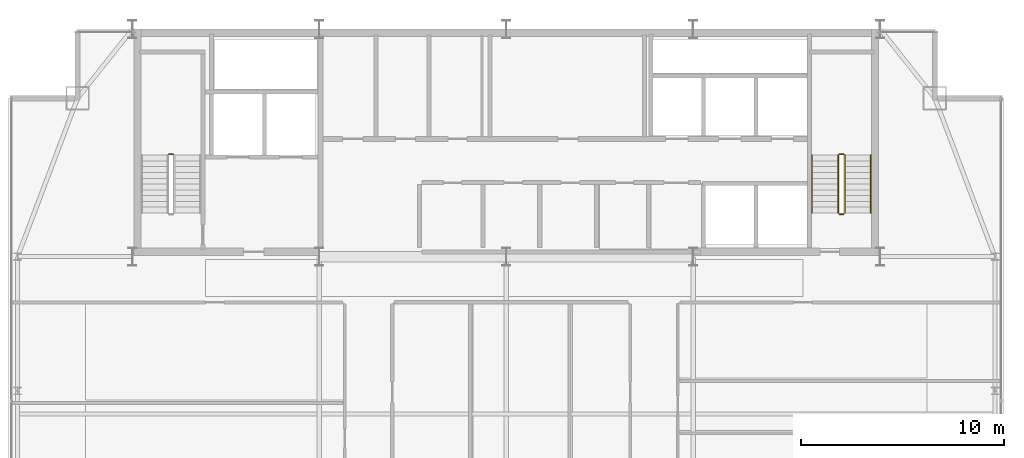
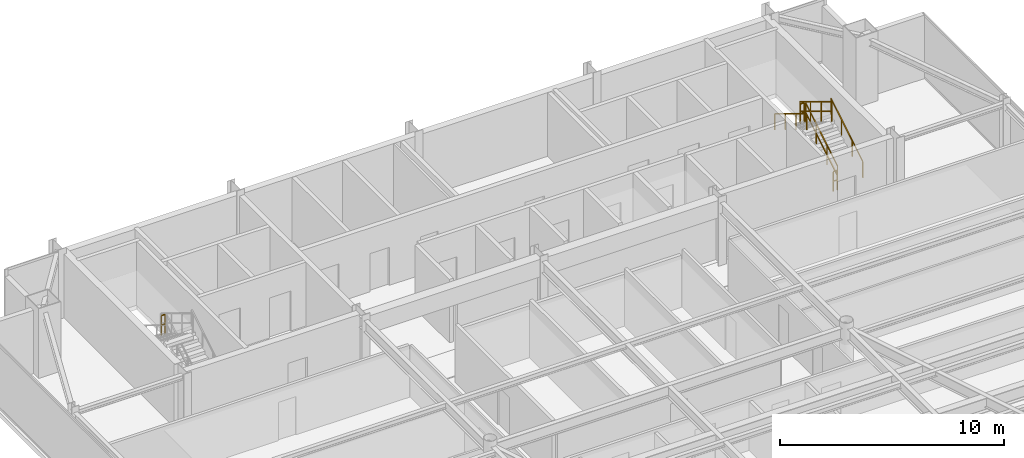
# One storey, part 28 of 28: 7 railings.
"""IFC4 building model written with IfcOpenShell, lengths in metres."""

from ifc_helpers import new_model, si_unit, direction, frame, origin, origin_2d, place, context, subcontext, project, spatial, rectangle, extrude, material, type_object, element, save


model = new_model("IFC4")

# Units and contexts
model_context = context("Model", 3, precision=1e-05, world=origin(), true_north=direction((0.0, 1.0)))
body_context = subcontext(model_context, "Body", "Model", "MODEL_VIEW")
ifc_project = project(units=[si_unit("LENGTHUNIT", "METRE"), si_unit("AREAUNIT", "SQUARE_METRE"), si_unit("VOLUMEUNIT", "CUBIC_METRE"), si_unit("PLANEANGLEUNIT", "RADIAN"), si_unit("MASSUNIT", "GRAM", prefix="KILO")], contexts=[model_context])

# Site, building, storey
site_placement = place(None, origin())
site = spatial("IfcSite", under=ifc_project, at=site_placement, CompositionType="ELEMENT")
building_placement = place(site_placement, origin())
building = spatial("IfcBuilding", under=site, at=building_placement, Name="Varnel Quay Broadcast Tower", CompositionType="ELEMENT")
storey_placement = place(building_placement, frame((0.0, 0.0, 230.199951171875)))
storey = spatial("IfcBuildingStorey", under=building, at=storey_placement, Name="L57", CompositionType="ELEMENT", Elevation=230.199951171875)

# Railings
ifc_material = material(Name="Painted Steel Guard and Handrail CSA G40.21 350W", Category="steel")
railing_type_1 = type_object("IfcRailingType", Name="Rail_StairGuard1100", PredefinedType="GUARDRAIL", material=ifc_material)
railing_1_placement = place(storey_placement, frame((17.60009765625, 40.64990234375, 1.900146484375)))
element("IfcRailing", 1, at=railing_1_placement, inside=storey, type_object=railing_type_1, Name="L57 ST-01 stair guard 2", PredefinedType="GUARDRAIL", context=body_context, shape_type="SweptSolid", body=[
    extrude(rectangle(XDim=0.048095703125, YDim=0.048095703125, at=origin_2d()), frame((0.0, 0.0, 1.076171875), z_axis=(-1.0, 0.0, 0.0), x_axis=(0.0, -1.0, 0.0)), (0.0, 0.0, 1.0), 0.2001953125),
    extrude(rectangle(XDim=0.048095703125, YDim=0.048095703125, at=origin_2d()), frame((0.0, 0.0, 0.550048828125), z_axis=(-1.0, 0.0, 0.0), x_axis=(0.0, -1.0, 0.0)), (0.0, 0.0, 1.0), 0.2001953125),
    extrude(rectangle(XDim=0.0419921875, YDim=0.0419921875, at=origin_2d()), origin(), (0.0, 0.0, 1.0), 1.052001953125),
    extrude(rectangle(XDim=0.0419921875, YDim=0.0419921875, at=origin_2d()), frame((-0.2001953125, 0.0, 0.0)), (0.0, 0.0, 1.0), 1.052001953125),
])
railing_2_placement = place(storey_placement, frame((50.64990234375, 37.75, 0.1728515625)))
element("IfcRailing", 2, at=railing_2_placement, inside=storey, type_object=railing_type_1, Name="L57 ST-02 stair guard 1", PredefinedType="GUARDRAIL", context=body_context, shape_type="SweptSolid", body=[
    extrude(rectangle(XDim=0.048095703125, YDim=0.048095703125, at=origin_2d()), frame((0.0, 0.0, 1.076171875), z_axis=(0.0, 0.855202751398, 0.518293598264), x_axis=(-1.0, 0.0, 0.0)), (0.0, 0.0, 1.0), 3.332763671875),
    extrude(rectangle(XDim=0.048095703125, YDim=0.048095703125, at=origin_2d()), frame((0.0, 0.0, 0.550048828125), z_axis=(0.0, 0.855202751398, 0.518293598264), x_axis=(-1.0, 0.0, 0.0)), (0.0, 0.0, 1.0), 3.332763671875),
    extrude(rectangle(XDim=0.0419921875, YDim=0.0419921875, at=origin_2d()), origin(), (0.0, 0.0, 1.0), 1.052001953125),
    extrude(rectangle(XDim=0.0419921875, YDim=0.0419921875, at=origin_2d()), frame((0.0, 0.949951171875, 0.57568359375)), (0.0, 0.0, 1.0), 1.052001953125),
    extrude(rectangle(XDim=0.0419921875, YDim=0.0419921875, at=origin_2d()), frame((0.0, 1.900146484375, 1.151611328125)), (0.0, 0.0, 1.0), 1.052001953125),
    extrude(rectangle(XDim=0.0419921875, YDim=0.0419921875, at=origin_2d()), frame((0.0, 2.85009765625, 1.727294921875)), (0.0, 0.0, 1.0), 1.052001953125),
])
railing_3_placement = place(storey_placement, frame((50.60009765625, 40.64990234375, 1.900146484375)))
element("IfcRailing", 3, at=railing_3_placement, inside=storey, type_object=railing_type_1, Name="L57 ST-02 stair guard 2", PredefinedType="GUARDRAIL", context=body_context, shape_type="SweptSolid", body=[
    extrude(rectangle(XDim=0.048095703125, YDim=0.048095703125, at=origin_2d()), frame((0.0, 0.0, 1.076171875), z_axis=(-1.0, 0.0, 0.0), x_axis=(0.0, -1.0, 0.0)), (0.0, 0.0, 1.0), 0.2001953125),
    extrude(rectangle(XDim=0.048095703125, YDim=0.048095703125, at=origin_2d()), frame((0.0, 0.0, 0.550048828125), z_axis=(-1.0, 0.0, 0.0), x_axis=(0.0, -1.0, 0.0)), (0.0, 0.0, 1.0), 0.2001953125),
    extrude(rectangle(XDim=0.0419921875, YDim=0.0419921875, at=origin_2d()), origin(), (0.0, 0.0, 1.0), 1.052001953125),
    extrude(rectangle(XDim=0.0419921875, YDim=0.0419921875, at=origin_2d()), frame((-0.2001953125, 0.0, 0.0)), (0.0, 0.0, 1.0), 1.052001953125),
])
railing_4_placement = place(storey_placement, frame((50.35009765625, 40.60009765625, 2.07275390625)))
element("IfcRailing", 4, at=railing_4_placement, inside=storey, type_object=railing_type_1, Name="L57 ST-02 stair guard 3", PredefinedType="GUARDRAIL", context=body_context, shape_type="SweptSolid", body=[
    extrude(rectangle(XDim=0.048095703125, YDim=0.048095703125, at=origin_2d()), frame((0.0, 0.0, 1.076171875), z_axis=(0.0, -0.855202751398, 0.518293598264), x_axis=(1.0, 0.0, 0.0)), (0.0, 0.0, 1.0), 3.332763671875),
    extrude(rectangle(XDim=0.048095703125, YDim=0.048095703125, at=origin_2d()), frame((0.0, 0.0, 0.550048828125), z_axis=(0.0, -0.855202751398, 0.518293598264), x_axis=(1.0, 0.0, 0.0)), (0.0, 0.0, 1.0), 3.332763671875),
    extrude(rectangle(XDim=0.0419921875, YDim=0.0419921875, at=origin_2d()), origin(), (0.0, 0.0, 1.0), 1.052001953125),
    extrude(rectangle(XDim=0.0419921875, YDim=0.0419921875, at=origin_2d()), frame((0.0, -0.949951171875, 0.57568359375)), (0.0, 0.0, 1.0), 1.052001953125),
    extrude(rectangle(XDim=0.0419921875, YDim=0.0419921875, at=origin_2d()), frame((0.0, -1.900146484375, 1.151611328125)), (0.0, 0.0, 1.0), 1.052001953125),
    extrude(rectangle(XDim=0.0419921875, YDim=0.0419921875, at=origin_2d()), frame((0.0, -2.85009765625, 1.727294921875)), (0.0, 0.0, 1.0), 1.052001953125),
])
railing_5_placement = place(storey_placement, frame((50.60009765625, 37.699951171875, 0.0)))
element("IfcRailing", 5, at=railing_5_placement, inside=storey, type_object=railing_type_1, Name="L57 ST-02 stair guard 4", PredefinedType="GUARDRAIL", context=body_context, shape_type="SweptSolid", body=[
    extrude(rectangle(XDim=0.048095703125, YDim=0.048095703125, at=origin_2d()), frame((0.0, 0.0, 1.076171875), z_axis=(-1.0, 0.0, 0.0), x_axis=(0.0, -1.0, 0.0)), (0.0, 0.0, 1.0), 0.2001953125),
    extrude(rectangle(XDim=0.048095703125, YDim=0.048095703125, at=origin_2d()), frame((0.0, 0.0, 0.550048828125), z_axis=(-1.0, 0.0, 0.0), x_axis=(0.0, -1.0, 0.0)), (0.0, 0.0, 1.0), 0.2001953125),
    extrude(rectangle(XDim=0.0419921875, YDim=0.0419921875, at=origin_2d()), origin(), (0.0, 0.0, 1.0), 1.052001953125),
    extrude(rectangle(XDim=0.0419921875, YDim=0.0419921875, at=origin_2d()), frame((-0.2001953125, 0.0, 0.0)), (0.0, 0.0, 1.0), 1.052001953125),
])
railing_type_2 = type_object("IfcRailingType", Name="Rail_StairHandrail900", PredefinedType="HANDRAIL", material=ifc_material)
railing_6_placement = place(storey_placement, frame((51.949951171875, 37.75, 0.1728515625)))
element("IfcRailing", 6, at=railing_6_placement, inside=storey, type_object=railing_type_2, Name="L57 ST-02 stair handrail 1", PredefinedType="HANDRAIL", context=body_context, shape_type="SweptSolid", body=[
    extrude(rectangle(XDim=0.048095703125, YDim=0.048095703125, at=origin_2d()), frame((0.0, 0.0, 0.8759765625), z_axis=(0.0, 0.855202751398, 0.518293598264), x_axis=(-1.0, 0.0, 0.0)), (0.0, 0.0, 1.0), 3.332763671875),
    extrude(rectangle(XDim=0.0419921875, YDim=0.0419921875, at=origin_2d()), origin(), (0.0, 0.0, 1.0), 0.851806640625),
    extrude(rectangle(XDim=0.0419921875, YDim=0.0419921875, at=origin_2d()), frame((0.0, 0.949951171875, 0.57568359375)), (0.0, 0.0, 1.0), 0.851806640625),
    extrude(rectangle(XDim=0.0419921875, YDim=0.0419921875, at=origin_2d()), frame((0.0, 1.900146484375, 1.151611328125)), (0.0, 0.0, 1.0), 0.851806640625),
    extrude(rectangle(XDim=0.0419921875, YDim=0.0419921875, at=origin_2d()), frame((0.0, 2.85009765625, 1.727294921875)), (0.0, 0.0, 1.0), 0.851806640625),
])
railing_7_placement = place(storey_placement, frame((49.050048828125, 40.60009765625, 2.07275390625)))
element("IfcRailing", 7, at=railing_7_placement, inside=storey, type_object=railing_type_2, Name="L57 ST-02 stair handrail 2", PredefinedType="HANDRAIL", context=body_context, shape_type="SweptSolid", body=[
    extrude(rectangle(XDim=0.048095703125, YDim=0.048095703125, at=origin_2d()), frame((0.0, 0.0, 0.8759765625), z_axis=(0.0, -0.855202751398, 0.518293598264), x_axis=(1.0, 0.0, 0.0)), (0.0, 0.0, 1.0), 3.332763671875),
    extrude(rectangle(XDim=0.0419921875, YDim=0.0419921875, at=origin_2d()), origin(), (0.0, 0.0, 1.0), 0.851806640625),
    extrude(rectangle(XDim=0.0419921875, YDim=0.0419921875, at=origin_2d()), frame((0.0, -0.949951171875, 0.57568359375)), (0.0, 0.0, 1.0), 0.851806640625),
    extrude(rectangle(XDim=0.0419921875, YDim=0.0419921875, at=origin_2d()), frame((0.0, -1.900146484375, 1.151611328125)), (0.0, 0.0, 1.0), 0.851806640625),
    extrude(rectangle(XDim=0.0419921875, YDim=0.0419921875, at=origin_2d()), frame((0.0, -2.85009765625, 1.727294921875)), (0.0, 0.0, 1.0), 0.851806640625),
])

save(model, "model.ifc")
